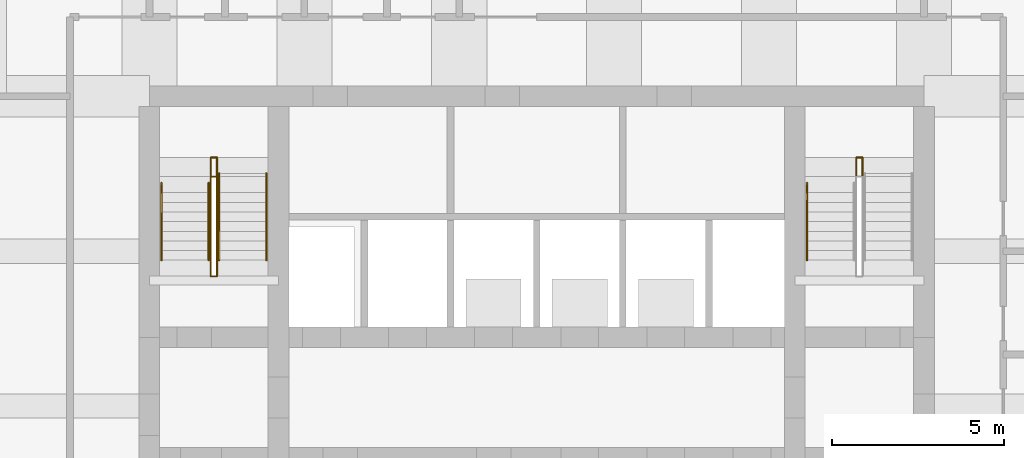
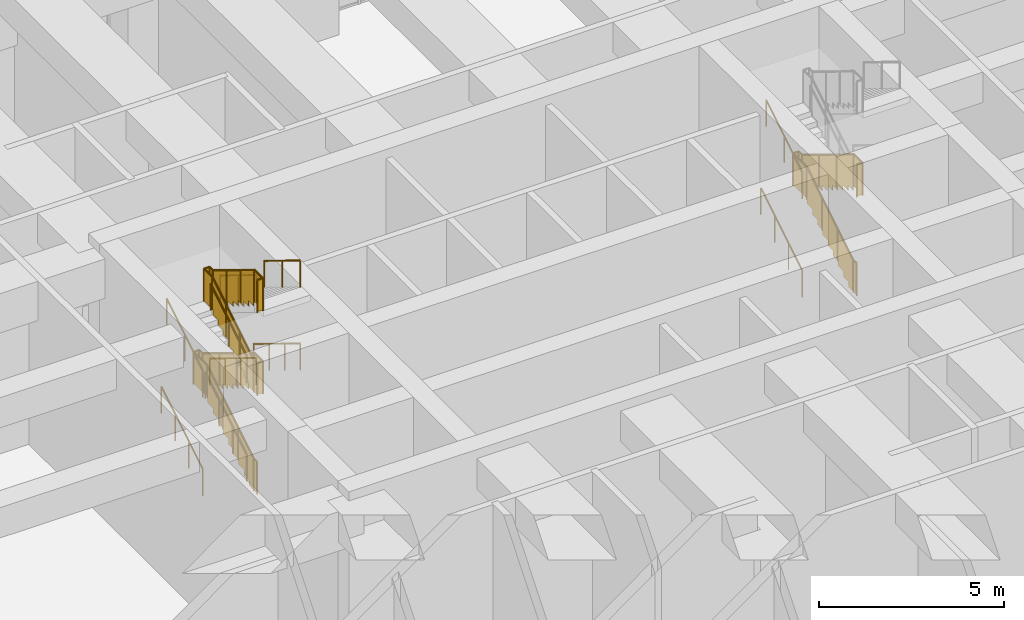
# One storey, part 15 of 17: 16 railings.
"""IFC4 building model written with IfcOpenShell, lengths in metres."""

import ifcopenshell
import ifcopenshell.guid

model = None  # the IFC model being written
_history = None  # IfcOwnerHistory: only IFC2X3 demands one
_inside = {}  # id of a spatial element -> (the spatial element, [elements in it])
_under = {}  # id of a project, library or spatial element -> (it, [spatial elements below it])
_declared = {}  # id of a project -> (the project, [libraries it declares])
_typed = {}  # id of a type object -> (the type object, [elements of that type])
_made_of = {}  # id of a material, layer set ... -> (it, [elements and type objects made of it])


def new_model(schema):
    """Start an empty IFC model of exactly this schema.

    Asked for "IFC4X3", IfcOpenShell would pick the latest addendum, in which some entities
    have other attributes; the version numbers below select the first issue.
    IFC2X3 requires an IfcOwnerHistory on every rooted entity: one is made here for all.
    """
    global model, _history
    if schema == "IFC4X3":
        model = ifcopenshell.file(schema_version=(4, 3, 0, 0))
    else:
        model = ifcopenshell.file(schema=schema)
    _inside.clear()
    _under.clear()
    _declared.clear()
    _typed.clear()
    _made_of.clear()
    _history = None
    if model.schema == "IFC2X3":
        org = make("IfcOrganization", Name="unknown")
        user = make(
            "IfcPersonAndOrganization",
            ThePerson=make("IfcPerson", FamilyName="unknown"),
            TheOrganization=org,
        )
        app = make(
            "IfcApplication",
            ApplicationDeveloper=org,
            Version="unknown",
            ApplicationFullName="unknown",
            ApplicationIdentifier="unknown",
        )
        _history = make(
            "IfcOwnerHistory",
            OwningUser=user,
            OwningApplication=app,
            ChangeAction="ADDED",
            CreationDate=0,
        )
    return model


def make(cls, **values):
    """One entity of the class cls with the attributes given. An attribute that is None is left unset."""
    return model.create_entity(
        cls, **{name: value for name, value in values.items() if value is not None}
    )


def rooted(cls, **values):
    """An entity with a GlobalId (a new one), such as an element, a storey or a relation."""
    return make(cls, GlobalId=ifcopenshell.guid.new(), OwnerHistory=_history, **values)


def si_unit(unit_type, name, prefix=None):
    """IfcSIUnit, for example si_unit("LENGTHUNIT", "METRE", prefix="MILLI")."""
    return make("IfcSIUnit", UnitType=unit_type, Prefix=prefix, Name=name)


def assignment(units):
    """IfcUnitAssignment: the units of a project."""
    return None if units is None else make("IfcUnitAssignment", Units=units)


def point(xyz):
    """IfcCartesianPoint."""
    return None if xyz is None else make("IfcCartesianPoint", Coordinates=xyz)


def direction(xyz):
    """IfcDirection."""
    return None if xyz is None else make("IfcDirection", DirectionRatios=xyz)


def frame(location, z_axis=None, x_axis=None):
    """IfcAxis2Placement3D, a coordinate frame: its origin and axes. An axis left out is left unset."""
    return make(
        "IfcAxis2Placement3D",
        Location=point(location),
        Axis=direction(z_axis),
        RefDirection=direction(x_axis),
    )


def frame_2d(location, x_axis=None):
    """IfcAxis2Placement2D, a coordinate frame in the plane: its origin and x axis."""
    return make(
        "IfcAxis2Placement2D", Location=point(location), RefDirection=direction(x_axis)
    )


def origin():
    """The frame at (0, 0, 0) with its axes left unset."""
    return frame((0.0, 0.0, 0.0))


def origin_2d():
    """The frame at (0, 0) in the plane with its x axis left unset."""
    return frame_2d((0.0, 0.0))


def place(relative_to, where):
    """IfcLocalPlacement: puts the frame where relative to a parent placement (None: the world)."""
    return make(
        "IfcLocalPlacement", PlacementRelTo=relative_to, RelativePlacement=where
    )


def context(
    kind, dimensions, precision=None, world=None, true_north=None, identifier=None
):
    """IfcGeometricRepresentationContext, for example the 3D "Model" context."""
    return make(
        "IfcGeometricRepresentationContext",
        ContextIdentifier=identifier,
        ContextType=kind,
        CoordinateSpaceDimension=dimensions,
        Precision=precision,
        WorldCoordinateSystem=world,
        TrueNorth=true_north,
    )


def subcontext(parent, identifier, kind, view, scale=None):
    """IfcGeometricRepresentationSubContext, for example "Body" below "Model"."""
    return make(
        "IfcGeometricRepresentationSubContext",
        ContextIdentifier=identifier,
        ContextType=kind,
        ParentContext=parent,
        TargetScale=scale,
        TargetView=view,
    )


def project(units=None, contexts=None):
    """IfcProject with its units and contexts."""
    return rooted(
        "IfcProject",
        Name="project",
        RepresentationContexts=contexts,
        UnitsInContext=assignment(units),
    )


def spatial(cls, under=None, at=None, **own):
    """A site, building, storey or space (cls), placed at a placement, below another one or the project."""
    s = rooted(cls, ObjectPlacement=at, **own)
    if under is not None:
        _under.setdefault(under.id(), (under, []))[1].append(s)
    return s


def polyline(points):
    """IfcPolyline through the points."""
    return make("IfcPolyline", Points=[point(p) for p in points])


def profile(cls, at=None, kind="AREA", **sizes):
    """A parametric profile (cls). Its sizes go by their IFC names, for example OverallWidth=200.0."""
    return make(cls, ProfileType=kind, Position=at, **sizes)


def circle(**sizes):
    """IfcCircleProfileDef."""
    return profile("IfcCircleProfileDef", **sizes)


def outline(outer, holes=None, kind="AREA"):
    """IfcArbitraryClosedProfileDef: a profile drawn as a closed curve; with holes, ...WithVoids."""
    if holes is None:
        return make("IfcArbitraryClosedProfileDef", ProfileType=kind, OuterCurve=outer)
    return make(
        "IfcArbitraryProfileDefWithVoids",
        ProfileType=kind,
        OuterCurve=outer,
        InnerCurves=holes,
    )


def extrude(swept, where, along, depth):
    """IfcExtrudedAreaSolid: the profile swept, set in the frame where, extruded along a direction by depth."""
    return make(
        "IfcExtrudedAreaSolid",
        SweptArea=swept,
        Position=where,
        ExtrudedDirection=direction(along),
        Depth=depth,
    )


def shape(context_of_items, identifier, shape_type, items):
    """IfcShapeRepresentation: the items that make up one representation, for example the "Body"."""
    return make(
        "IfcShapeRepresentation",
        ContextOfItems=context_of_items,
        RepresentationIdentifier=identifier,
        RepresentationType=shape_type,
        Items=items,
    )


def material(Name=None, Category=None):
    """IfcMaterial."""
    return make("IfcMaterial", Name=Name, Category=Category)


def made_of(thing, what):
    """Note that an element or type object is made of a material, layer set ...; save() writes the relation."""
    if what is not None:
        _made_of.setdefault(what.id(), (what, []))[1].append(thing)
    return thing


def type_object(cls, material=None, **own):
    """A type object (cls), such as IfcWallType, which elements share."""
    return made_of(rooted(cls, **own), material)


def element(
    cls,
    number,
    at=None,
    inside=None,
    cuts=None,
    type_object=None,
    material=None,
    context=None,
    identifier="Body",
    shape_type=None,
    held_by="IfcProductDefinitionShape",
    body=None,
    shapes=None,
    **own,
):
    """One element of the class cls, such as IfcWall. Its Tag is "e" and its number.

    at: its placement. inside: the storey or other place that contains it. cuts: it is an
    opening in that element (IfcRelVoidsElement). A single representation is given by context,
    identifier, shape_type and body (its items); several are given by shapes. held_by: the class
    of the entity that holds the representations. save() writes the other relations.
    """
    e = rooted(cls, Tag="e%d" % number, ObjectPlacement=at, **own)
    if body is not None:
        shapes = [shape(context, identifier, shape_type, body)]
    if shapes is not None:
        e.Representation = make(held_by, Representations=shapes)
    if inside is not None:
        _inside.setdefault(inside.id(), (inside, []))[1].append(e)
    if cuts is not None:
        rooted(
            "IfcRelVoidsElement", RelatingBuildingElement=cuts, RelatedOpeningElement=e
        )
    if type_object is not None:
        _typed.setdefault(type_object.id(), (type_object, []))[1].append(e)
    return made_of(e, material)


def aggregate(whole, parts):
    """IfcRelAggregates: a whole, such as a stair, and the parts it consists of."""
    return rooted("IfcRelAggregates", RelatingObject=whole, RelatedObjects=parts)


def save(model, path):
    """Write the relations noted so far, then the file.

    IfcRelAggregates (storeys below a building ...), IfcRelContainedInSpatialStructure (elements
    in a storey), IfcRelDefinesByType, IfcRelAssociatesMaterial and IfcRelDeclares: one each for
    every whole, place, type object, material and project.
    """
    for whole, parts in _under.values():
        aggregate(whole, parts)
    for where, things in _inside.values():
        rooted(
            "IfcRelContainedInSpatialStructure",
            RelatedElements=things,
            RelatingStructure=where,
        )
    for kind, things in _typed.values():
        rooted("IfcRelDefinesByType", RelatedObjects=things, RelatingType=kind)
    for what, things in _made_of.values():
        rooted("IfcRelAssociatesMaterial", RelatedObjects=things, RelatingMaterial=what)
    for by, libraries in _declared.values():
        rooted("IfcRelDeclares", RelatingContext=by, RelatedDefinitions=libraries)
    model.write(path)


model = new_model("IFC4")

# Units and contexts
model_context = context("Model", 3, precision=1e-05, world=origin(), true_north=direction((0.0, 1.0)))
body_context = subcontext(model_context, "Body", "Model", "MODEL_VIEW")
ifc_project = project(units=[si_unit("LENGTHUNIT", "METRE"), si_unit("AREAUNIT", "SQUARE_METRE"), si_unit("VOLUMEUNIT", "CUBIC_METRE"), si_unit("PLANEANGLEUNIT", "RADIAN"), si_unit("MASSUNIT", "GRAM", prefix="KILO")], contexts=[model_context])

# Site, building, storey
site_placement = place(None, origin())
site = spatial("IfcSite", under=ifc_project, at=site_placement, CompositionType="ELEMENT")
building_placement = place(site_placement, origin())
building = spatial("IfcBuilding", under=site, at=building_placement, Name="Kilele Tower Hotel", CompositionType="ELEMENT")
storey_placement = place(building_placement, frame((0.0, 0.0, 145.89990234375)))
storey = spatial("IfcBuildingStorey", under=building, at=storey_placement, Name="L38", CompositionType="ELEMENT", Elevation=145.89990234375)

# Railings
ifc_material_1 = material(Name="Steel handrail", Category="steel")
railing_type_1 = type_object("IfcRailingType", Name="Handrail 900", PredefinedType="HANDRAIL", material=ifc_material_1)
for number, where, name in (
    (1, (13.85009765625, 22.239990234375, 0.171630859375), "Handrail ST1 flight 1"),
    (2, (15.22509765625, 22.239990234375, 0.171630859375), "Handrail ST1 flight 1"),
):
    element("IfcRailing", number, at=place(storey_placement, frame(where)), inside=storey, type_object=railing_type_1, Name=name, PredefinedType="HANDRAIL", context=body_context, shape_type="SweptSolid", body=[
        extrude(circle(Radius=0.02490234375, at=origin_2d()), frame((0.0, 0.0, 0.875), z_axis=(0.0, 0.852865665234, 0.522130402356), x_axis=(-1.0, 0.0, 0.0)), (0.0, 0.0, 1.0), 2.62646484375),
        extrude(circle(Radius=0.02001953125, at=origin_2d()), origin(), (0.0, 0.0, 1.0), 0.849853515625),
        extrude(circle(Radius=0.02001953125, at=origin_2d()), frame((0.0, 0.74658203125, 0.45703125)), (0.0, 0.0, 1.0), 0.849853515625),
        extrude(circle(Radius=0.02001953125, at=origin_2d()), frame((0.0, 1.493408203125, 0.914306640625)), (0.0, 0.0, 1.0), 0.849853515625),
        extrude(circle(Radius=0.02001953125, at=origin_2d()), frame((0.0, 2.239990234375, 1.371337890625)), (0.0, 0.0, 1.0), 0.849853515625),
    ])
for number, where, name in (
    (3, (15.52490234375, 24.760009765625, 1.71435546875), "Handrail ST1 flight 2"),
    (4, (16.89990234375, 24.760009765625, 1.71435546875), "Handrail ST1 flight 2"),
):
    element("IfcRailing", number, at=place(storey_placement, frame(where)), inside=storey, type_object=railing_type_1, Name=name, PredefinedType="HANDRAIL", context=body_context, shape_type="SweptSolid", body=[
        extrude(circle(Radius=0.02490234375, at=origin_2d()), frame((0.0, 0.0, 0.875), z_axis=(0.0, -0.852836285881, 0.522178388565), x_axis=(1.0, 0.0, 0.0)), (0.0, 0.0, 1.0), 2.954833984375),
        extrude(circle(Radius=0.02001953125, at=origin_2d()), origin(), (0.0, 0.0, 1.0), 0.849853515625),
        extrude(circle(Radius=0.02001953125, at=origin_2d()), frame((0.0, -0.840087890625, 0.514404296875)), (0.0, 0.0, 1.0), 0.849853515625),
        extrude(circle(Radius=0.02001953125, at=origin_2d()), frame((0.0, -1.679931640625, 1.028564453125)), (0.0, 0.0, 1.0), 0.849853515625),
        extrude(circle(Radius=0.02001953125, at=origin_2d()), frame((0.0, -2.52001953125, 1.54296875)), (0.0, 0.0, 1.0), 0.849853515625),
    ])
for number, where, name in (
    (5, (13.85009765625, 22.239990234375, 3.4287109375), "Handrail ST1 flight 3"),
    (6, (15.22509765625, 22.239990234375, 3.4287109375), "Handrail ST1 flight 3"),
):
    element("IfcRailing", number, at=place(storey_placement, frame(where)), inside=storey, type_object=railing_type_1, Name=name, PredefinedType="HANDRAIL", context=body_context, shape_type="SweptSolid", body=[
        extrude(circle(Radius=0.02490234375, at=origin_2d()), frame((0.0, 0.0, 0.875), z_axis=(0.0, 0.852856131449, 0.522145974847), x_axis=(-1.0, 0.0, 0.0)), (0.0, 0.0, 1.0), 2.298095703125),
        extrude(circle(Radius=0.02001953125, at=origin_2d()), origin(), (0.0, 0.0, 1.0), 0.849853515625),
        extrude(circle(Radius=0.02001953125, at=origin_2d()), frame((0.0, 0.97998046875, 0.60009765625)), (0.0, 0.0, 1.0), 0.849853515625),
        extrude(circle(Radius=0.02001953125, at=origin_2d()), frame((0.0, 1.9599609375, 1.199951171875)), (0.0, 0.0, 1.0), 0.849853515625),
    ])
for number, where, name in (
    (7, (15.52490234375, 24.199951171875, 4.800048828125), "Handrail ST1 flight 4"),
    (8, (16.89990234375, 24.199951171875, 4.800048828125), "Handrail ST1 flight 4"),
):
    element("IfcRailing", number, at=place(storey_placement, frame(where)), inside=storey, type_object=railing_type_1, Name=name, PredefinedType="HANDRAIL", context=body_context, shape_type="SweptSolid", body=[
        extrude(circle(Radius=0.02490234375, at=origin_2d()), frame((0.0, 0.0, 0.875), z_axis=(0.0, -0.852856131449, 0.522145974847), x_axis=(1.0, 0.0, 0.0)), (0.0, 0.0, 1.0), 2.298095703125),
        extrude(circle(Radius=0.02001953125, at=origin_2d()), origin(), (0.0, 0.0, 1.0), 0.849853515625),
        extrude(circle(Radius=0.02001953125, at=origin_2d()), frame((0.0, -0.97998046875, 0.60009765625)), (0.0, 0.0, 1.0), 0.849853515625),
        extrude(circle(Radius=0.02001953125, at=origin_2d()), frame((0.0, -1.9599609375, 1.199951171875)), (0.0, 0.0, 1.0), 0.849853515625),
    ])
railing_1_placement = place(storey_placement, frame((32.60009765625, 22.239990234375, 0.171630859375)))
element("IfcRailing", 9, at=railing_1_placement, inside=storey, type_object=railing_type_1, Name="Handrail ST2 flight 1", PredefinedType="HANDRAIL", context=body_context, shape_type="SweptSolid", body=[
    extrude(circle(Radius=0.02490234375, at=origin_2d()), frame((0.0, 0.0, 0.875), z_axis=(0.0, 0.852865665234, 0.522130402356), x_axis=(-1.0, 0.0, 0.0)), (0.0, 0.0, 1.0), 2.62646484375),
    extrude(circle(Radius=0.02001953125, at=origin_2d()), origin(), (0.0, 0.0, 1.0), 0.849853515625),
    extrude(circle(Radius=0.02001953125, at=origin_2d()), frame((0.0, 0.74658203125, 0.45703125)), (0.0, 0.0, 1.0), 0.849853515625),
    extrude(circle(Radius=0.02001953125, at=origin_2d()), frame((0.0, 1.493408203125, 0.914306640625)), (0.0, 0.0, 1.0), 0.849853515625),
    extrude(circle(Radius=0.02001953125, at=origin_2d()), frame((0.0, 2.239990234375, 1.371337890625)), (0.0, 0.0, 1.0), 0.849853515625),
])
railing_2_placement = place(storey_placement, frame((32.60009765625, 22.239990234375, 3.4287109375)))
element("IfcRailing", 10, at=railing_2_placement, inside=storey, type_object=railing_type_1, Name="Handrail ST2 flight 3", PredefinedType="HANDRAIL", context=body_context, shape_type="SweptSolid", body=[
    extrude(circle(Radius=0.02490234375, at=origin_2d()), frame((0.0, 0.0, 0.875), z_axis=(0.0, 0.852856131449, 0.522145974847), x_axis=(-1.0, 0.0, 0.0)), (0.0, 0.0, 1.0), 2.298095703125),
    extrude(circle(Radius=0.02001953125, at=origin_2d()), origin(), (0.0, 0.0, 1.0), 0.849853515625),
    extrude(circle(Radius=0.02001953125, at=origin_2d()), frame((0.0, 0.97998046875, 0.60009765625)), (0.0, 0.0, 1.0), 0.849853515625),
    extrude(circle(Radius=0.02001953125, at=origin_2d()), frame((0.0, 1.9599609375, 1.199951171875)), (0.0, 0.0, 1.0), 0.849853515625),
])
ifc_material_2 = material(Name="Steel guard", Category="steel")
railing_type_2 = type_object("IfcRailingType", Name="Stair guard 1100", PredefinedType="GUARDRAIL", material=ifc_material_2)
railing_3_placement = place(storey_placement, frame((15.284912109375, 21.77490234375, 0.0)))
element("IfcRailing", 11, at=railing_3_placement, inside=storey, type_object=railing_type_2, Name="Stair well guard ST1 flight 1", PredefinedType="GUARDRAIL", context=body_context, shape_type="SweptSolid", body=[
    extrude(circle(Radius=0.02490234375, at=origin_2d()), frame((0.0, 0.0, 1.0751953125), z_axis=(0.0, 1.0, 0.0), x_axis=(-1.0, 0.0, 0.0)), (0.0, 0.0, 1.0), 0.18505859375),
    extrude(circle(Radius=0.02490234375, at=origin_2d()), frame((0.0, 0.18505859375, 1.0751953125), z_axis=(0.0, 0.852836285881, 0.522178388565), x_axis=(-1.0, 0.0, 0.0)), (0.0, 0.0, 1.0), 2.954833984375),
    extrude(circle(Radius=0.02490234375, at=origin_2d()), frame((0.0, 2.705078125, 2.6181640625), z_axis=(0.0, 1.0, 0.0), x_axis=(-1.0, 0.0, 0.0)), (0.0, 0.0, 1.0), 0.7451171875),
    extrude(circle(Radius=0.02490234375, at=origin_2d()), frame((0.0, 3.4501953125, 2.6181640625), z_axis=(1.0, 0.0, 0.0), x_axis=(0.0, 1.0, 0.0)), (0.0, 0.0, 1.0), 0.18017578125),
    extrude(circle(Radius=0.02490234375, at=origin_2d()), origin(), (0.0, 0.0, 1.0), 1.050048828125),
    extrude(circle(Radius=0.02490234375, at=origin_2d()), frame((0.0, 0.18505859375, 0.0)), (0.0, 0.0, 1.0), 1.050048828125),
    extrude(circle(Radius=0.02490234375, at=origin_2d()), frame((0.0, 1.025146484375, 0.514404296875)), (0.0, 0.0, 1.0), 1.050048828125),
    extrude(circle(Radius=0.02490234375, at=origin_2d()), frame((0.0, 1.864990234375, 1.028564453125)), (0.0, 0.0, 1.0), 1.050048828125),
    extrude(circle(Radius=0.02490234375, at=origin_2d()), frame((0.0, 2.705078125, 1.54296875)), (0.0, 0.0, 1.0), 1.050048828125),
    extrude(circle(Radius=0.02490234375, at=origin_2d()), frame((0.0, 3.4501953125, 1.54296875)), (0.0, 0.0, 1.0), 1.050048828125),
    extrude(circle(Radius=0.02490234375, at=origin_2d()), frame((0.18017578125, 3.4501953125, 1.54296875)), (0.0, 0.0, 1.0), 1.050048828125),
    extrude(outline(polyline([(0.0, 0.030029296875), (0.172607421875, 0.030029296875), (0.172607421875, 1.050048828125), (0.0, 1.050048828125), (0.0, 0.030029296875)])), frame((-0.005859375, 0.0, 0.0), z_axis=(1.0, 0.0, 0.0), x_axis=(0.0, 1.0, 0.0)), (0.0, 0.0, 1.0), 0.011962890625),
    extrude(outline(polyline([(0.012451171875, 0.030029296875), (0.25, 0.030029296875), (0.25, 0.201416015625), (0.530029296875, 0.201416015625), (0.530029296875, 0.372802734375), (0.81005859375, 0.372802734375), (0.81005859375, 0.54443359375), (1.090087890625, 0.54443359375), (1.090087890625, 0.7158203125), (1.369873046875, 0.7158203125), (1.369873046875, 0.88720703125), (1.64990234375, 0.88720703125), (1.64990234375, 1.05859375), (1.929931640625, 1.05859375), (1.929931640625, 1.230224609375), (2.2099609375, 1.230224609375), (2.2099609375, 1.401611328125), (2.489990234375, 1.401611328125), (2.489990234375, 1.572998046875), (2.507568359375, 1.572998046875), (2.507568359375, 2.5810546875), (0.012451171875, 1.053466796875), (0.012451171875, 0.030029296875)])), frame((-0.005859375, 0.18505859375, 0.0), z_axis=(1.0, 0.0, 0.0), x_axis=(0.0, 1.0, 0.0)), (0.0, 0.0, 1.0), 0.011962890625),
    extrude(outline(polyline([(0.012451171875, 0.030029296875), (0.732666015625, 0.030029296875), (0.732666015625, 1.050048828125), (0.012451171875, 1.050048828125), (0.012451171875, 0.030029296875)])), frame((-0.005859375, 2.705078125, 1.54296875), z_axis=(1.0, 0.0, 0.0), x_axis=(0.0, 1.0, 0.0)), (0.0, 0.0, 1.0), 0.011962890625),
    extrude(outline(polyline([(0.012451171875, 0.030029296875), (0.18017578125, 0.030029296875), (0.18017578125, 1.050048828125), (0.012451171875, 1.050048828125), (0.012451171875, 0.030029296875)])), frame((0.0, 3.4560546875, 1.54296875), z_axis=(0.0, -1.0, 0.0), x_axis=(1.0, 0.0, 0.0)), (0.0, 0.0, 1.0), 0.011962890625),
])
railing_4_placement = place(storey_placement, frame((15.465087890625, 25.22509765625, 1.54296875)))
element("IfcRailing", 12, at=railing_4_placement, inside=storey, type_object=railing_type_2, Name="Stair well guard ST1 flight 2", PredefinedType="GUARDRAIL", context=body_context, shape_type="SweptSolid", body=[
    extrude(circle(Radius=0.02490234375, at=origin_2d()), frame((0.0, 0.0, 1.0751953125), z_axis=(0.0, -1.0, 0.0), x_axis=(1.0, 0.0, 0.0)), (0.0, 0.0, 1.0), 0.18505859375),
    extrude(circle(Radius=0.02490234375, at=origin_2d()), frame((0.0, -0.18505859375, 1.0751953125), z_axis=(0.0, -0.852879011914, 0.522108600807), x_axis=(1.0, 0.0, 0.0)), (0.0, 0.0, 1.0), 3.282958984375),
    extrude(circle(Radius=0.02490234375, at=origin_2d()), frame((0.0, -2.985107421875, 2.7890625), z_axis=(0.0, -1.0, 0.0), x_axis=(1.0, 0.0, 0.0)), (0.0, 0.0, 1.0), 0.465087890625),
    extrude(circle(Radius=0.02490234375, at=origin_2d()), frame((0.0, -3.4501953125, 2.7890625), z_axis=(-1.0, 0.0, 0.0), x_axis=(0.0, -1.0, 0.0)), (0.0, 0.0, 1.0), 0.18017578125),
    extrude(circle(Radius=0.02490234375, at=origin_2d()), origin(), (0.0, 0.0, 1.0), 1.050048828125),
    extrude(circle(Radius=0.02490234375, at=origin_2d()), frame((0.0, -0.18505859375, 0.0)), (0.0, 0.0, 1.0), 1.050048828125),
    extrude(circle(Radius=0.02490234375, at=origin_2d()), frame((0.0, -1.118408203125, 0.5712890625)), (0.0, 0.0, 1.0), 1.050048828125),
    extrude(circle(Radius=0.02490234375, at=origin_2d()), frame((0.0, -2.0517578125, 1.142822265625)), (0.0, 0.0, 1.0), 1.050048828125),
    extrude(circle(Radius=0.02490234375, at=origin_2d()), frame((0.0, -2.985107421875, 1.714111328125)), (0.0, 0.0, 1.0), 1.050048828125),
    extrude(circle(Radius=0.02490234375, at=origin_2d()), frame((0.0, -3.4501953125, 1.714111328125)), (0.0, 0.0, 1.0), 1.050048828125),
    extrude(circle(Radius=0.02490234375, at=origin_2d()), frame((-0.18017578125, -3.4501953125, 1.714111328125)), (0.0, 0.0, 1.0), 1.050048828125),
    extrude(outline(polyline([(0.0, 0.030029296875), (0.172607421875, 0.030029296875), (0.172607421875, 1.050048828125), (0.0, 1.050048828125), (0.0, 0.030029296875)])), frame((0.005859375, 0.0, 0.0), z_axis=(-1.0, 0.0, 0.0), x_axis=(0.0, -1.0, 0.0)), (0.0, 0.0, 1.0), 0.011962890625),
    extrude(outline(polyline([(0.012451171875, 0.030029296875), (0.25, 0.030029296875), (0.25, 0.201416015625), (0.530029296875, 0.201416015625), (0.530029296875, 0.372802734375), (0.81005859375, 0.372802734375), (0.81005859375, 0.544189453125), (1.090087890625, 0.544189453125), (1.090087890625, 0.715576171875), (1.3701171875, 0.715576171875), (1.3701171875, 0.88720703125), (1.64990234375, 0.88720703125), (1.64990234375, 1.05859375), (1.929931640625, 1.05859375), (1.929931640625, 1.22998046875), (2.2099609375, 1.22998046875), (2.2099609375, 1.4013671875), (2.489990234375, 1.4013671875), (2.489990234375, 1.57275390625), (2.77001953125, 1.57275390625), (2.77001953125, 1.744140625), (2.78759765625, 1.744140625), (2.78759765625, 2.752197265625), (0.012451171875, 1.053466796875), (0.012451171875, 0.030029296875)])), frame((0.005859375, -0.18505859375, 0.0), z_axis=(-1.0, 0.0, 0.0), x_axis=(0.0, -1.0, 0.0)), (0.0, 0.0, 1.0), 0.011962890625),
    extrude(outline(polyline([(0.012451171875, 0.030029296875), (0.45263671875, 0.030029296875), (0.45263671875, 1.050048828125), (0.012451171875, 1.050048828125), (0.012451171875, 0.030029296875)])), frame((0.005859375, -2.985107421875, 1.714111328125), z_axis=(-1.0, 0.0, 0.0), x_axis=(0.0, -1.0, 0.0)), (0.0, 0.0, 1.0), 0.011962890625),
    extrude(outline(polyline([(0.012451171875, 0.030029296875), (0.18017578125, 0.030029296875), (0.18017578125, 1.050048828125), (0.012451171875, 1.050048828125), (0.012451171875, 0.030029296875)])), frame((0.0, -3.4560546875, 1.714111328125), z_axis=(0.0, 1.0, 0.0), x_axis=(-1.0, 0.0, 0.0)), (0.0, 0.0, 1.0), 0.011962890625),
])
railing_5_placement = place(storey_placement, frame((15.284912109375, 21.77490234375, 3.257080078125)))
element("IfcRailing", 13, at=railing_5_placement, inside=storey, type_object=railing_type_2, Name="Stair well guard ST1 flight 3", PredefinedType="GUARDRAIL", context=body_context, shape_type="SweptSolid", body=[
    extrude(circle(Radius=0.02490234375, at=origin_2d()), frame((0.0, 0.0, 1.0751953125), z_axis=(0.0, 1.0, 0.0), x_axis=(-1.0, 0.0, 0.0)), (0.0, 0.0, 1.0), 0.18505859375),
    extrude(circle(Radius=0.02490234375, at=origin_2d()), frame((0.0, 0.18505859375, 1.0751953125), z_axis=(0.0, 0.852824270871, 0.522198011308), x_axis=(-1.0, 0.0, 0.0)), (0.0, 0.0, 1.0), 2.62646484375),
    extrude(circle(Radius=0.02490234375, at=origin_2d()), frame((0.0, 2.425048828125, 2.44677734375), z_axis=(0.0, 1.0, 0.0), x_axis=(-1.0, 0.0, 0.0)), (0.0, 0.0, 1.0), 0.465087890625),
    extrude(circle(Radius=0.02490234375, at=origin_2d()), frame((0.0, 2.89013671875, 2.44677734375), z_axis=(1.0, 0.0, 0.0), x_axis=(0.0, 1.0, 0.0)), (0.0, 0.0, 1.0), 0.18017578125),
    extrude(circle(Radius=0.02490234375, at=origin_2d()), origin(), (0.0, 0.0, 1.0), 1.050048828125),
    extrude(circle(Radius=0.02490234375, at=origin_2d()), frame((0.0, 0.18505859375, 0.0)), (0.0, 0.0, 1.0), 1.050048828125),
    extrude(circle(Radius=0.02490234375, at=origin_2d()), frame((0.0, 0.931640625, 0.457275390625)), (0.0, 0.0, 1.0), 1.050048828125),
    extrude(circle(Radius=0.02490234375, at=origin_2d()), frame((0.0, 1.678466796875, 0.914306640625)), (0.0, 0.0, 1.0), 1.050048828125),
    extrude(circle(Radius=0.02490234375, at=origin_2d()), frame((0.0, 2.425048828125, 1.37158203125)), (0.0, 0.0, 1.0), 1.050048828125),
    extrude(circle(Radius=0.02490234375, at=origin_2d()), frame((0.0, 2.89013671875, 1.37158203125)), (0.0, 0.0, 1.0), 1.050048828125),
    extrude(circle(Radius=0.02490234375, at=origin_2d()), frame((0.18017578125, 2.89013671875, 1.37158203125)), (0.0, 0.0, 1.0), 1.050048828125),
    extrude(outline(polyline([(0.0, 0.030029296875), (0.172607421875, 0.030029296875), (0.172607421875, 1.050048828125), (0.0, 1.050048828125), (0.0, 0.030029296875)])), frame((-0.005859375, 0.0, 0.0), z_axis=(1.0, 0.0, 0.0), x_axis=(0.0, 1.0, 0.0)), (0.0, 0.0, 1.0), 0.011962890625),
    extrude(outline(polyline([(0.012451171875, 0.030029296875), (0.25, 0.030029296875), (0.25, 0.201416015625), (0.530029296875, 0.201416015625), (0.530029296875, 0.373046875), (0.81005859375, 0.373046875), (0.81005859375, 0.54443359375), (1.08984375, 0.54443359375), (1.08984375, 0.7158203125), (1.369873046875, 0.7158203125), (1.369873046875, 0.88720703125), (1.64990234375, 0.88720703125), (1.64990234375, 1.05859375), (1.929931640625, 1.05859375), (1.929931640625, 1.230224609375), (2.2099609375, 1.230224609375), (2.2099609375, 1.401611328125), (2.2275390625, 1.401611328125), (2.2275390625, 2.40966796875), (0.012451171875, 1.053466796875), (0.012451171875, 0.030029296875)])), frame((-0.005859375, 0.18505859375, 0.0), z_axis=(1.0, 0.0, 0.0), x_axis=(0.0, 1.0, 0.0)), (0.0, 0.0, 1.0), 0.011962890625),
    extrude(outline(polyline([(0.012451171875, 0.030029296875), (0.45263671875, 0.030029296875), (0.45263671875, 1.050048828125), (0.012451171875, 1.050048828125), (0.012451171875, 0.030029296875)])), frame((-0.005859375, 2.425048828125, 1.37158203125), z_axis=(1.0, 0.0, 0.0), x_axis=(0.0, 1.0, 0.0)), (0.0, 0.0, 1.0), 0.011962890625),
    extrude(outline(polyline([(0.012451171875, 0.030029296875), (0.18017578125, 0.030029296875), (0.18017578125, 1.050048828125), (0.012451171875, 1.050048828125), (0.012451171875, 0.030029296875)])), frame((0.0, 2.89599609375, 1.37158203125), z_axis=(0.0, -1.0, 0.0), x_axis=(1.0, 0.0, 0.0)), (0.0, 0.0, 1.0), 0.011962890625),
])
railing_6_placement = place(storey_placement, frame((15.465087890625, 24.6650390625, 4.628662109375)))
element("IfcRailing", 14, at=railing_6_placement, inside=storey, type_object=railing_type_2, Name="Stair well guard ST1 flight 4", PredefinedType="GUARDRAIL", context=body_context, shape_type="SweptSolid", body=[
    extrude(circle(Radius=0.02490234375, at=origin_2d()), frame((0.0, 0.0, 1.0751953125), z_axis=(0.0, -1.0, 0.0), x_axis=(1.0, 0.0, 0.0)), (0.0, 0.0, 1.0), 0.18505859375),
    extrude(circle(Radius=0.02490234375, at=origin_2d()), frame((0.0, -0.18505859375, 1.0751953125), z_axis=(0.0, -0.852865665234, 0.522130402356), x_axis=(1.0, 0.0, 0.0)), (0.0, 0.0, 1.0), 2.62646484375),
    extrude(circle(Radius=0.02490234375, at=origin_2d()), frame((0.0, -2.425048828125, 2.4462890625), z_axis=(0.0, -1.0, 0.0), x_axis=(1.0, 0.0, 0.0)), (0.0, 0.0, 1.0), 0.465087890625),
    extrude(circle(Radius=0.02490234375, at=origin_2d()), frame((0.0, -2.89013671875, 2.4462890625), z_axis=(-1.0, 0.0, 0.0), x_axis=(0.0, -1.0, 0.0)), (0.0, 0.0, 1.0), 0.18017578125),
    extrude(circle(Radius=0.02490234375, at=origin_2d()), origin(), (0.0, 0.0, 1.0), 1.050048828125),
    extrude(circle(Radius=0.02490234375, at=origin_2d()), frame((0.0, -0.18505859375, 0.0)), (0.0, 0.0, 1.0), 1.050048828125),
    extrude(circle(Radius=0.02490234375, at=origin_2d()), frame((0.0, -0.931640625, 0.45703125)), (0.0, 0.0, 1.0), 1.050048828125),
    extrude(circle(Radius=0.02490234375, at=origin_2d()), frame((0.0, -1.678466796875, 0.914306640625)), (0.0, 0.0, 1.0), 1.050048828125),
    extrude(circle(Radius=0.02490234375, at=origin_2d()), frame((0.0, -2.425048828125, 1.371337890625)), (0.0, 0.0, 1.0), 1.050048828125),
    extrude(circle(Radius=0.02490234375, at=origin_2d()), frame((0.0, -2.89013671875, 1.371337890625)), (0.0, 0.0, 1.0), 1.050048828125),
    extrude(circle(Radius=0.02490234375, at=origin_2d()), frame((-0.18017578125, -2.89013671875, 1.371337890625)), (0.0, 0.0, 1.0), 1.050048828125),
    extrude(outline(polyline([(0.0, 0.030029296875), (0.172607421875, 0.030029296875), (0.172607421875, 1.050048828125), (0.0, 1.050048828125), (0.0, 0.030029296875)])), frame((0.005859375, 0.0, 0.0), z_axis=(-1.0, 0.0, 0.0), x_axis=(0.0, -1.0, 0.0)), (0.0, 0.0, 1.0), 0.011962890625),
    extrude(outline(polyline([(0.012451171875, 0.030029296875), (0.25, 0.030029296875), (0.25, 0.201416015625), (0.530029296875, 0.201416015625), (0.530029296875, 0.372802734375), (0.81005859375, 0.372802734375), (0.81005859375, 0.544189453125), (1.08984375, 0.544189453125), (1.08984375, 0.7158203125), (1.369873046875, 0.7158203125), (1.369873046875, 0.88720703125), (1.64990234375, 0.88720703125), (1.64990234375, 1.05859375), (1.929931640625, 1.05859375), (1.929931640625, 1.22998046875), (2.2099609375, 1.22998046875), (2.2099609375, 1.4013671875), (2.2275390625, 1.4013671875), (2.2275390625, 2.409423828125), (0.012451171875, 1.053466796875), (0.012451171875, 0.030029296875)])), frame((0.005859375, -0.18505859375, 0.0), z_axis=(-1.0, 0.0, 0.0), x_axis=(0.0, -1.0, 0.0)), (0.0, 0.0, 1.0), 0.011962890625),
    extrude(outline(polyline([(0.012451171875, 0.030029296875), (0.45263671875, 0.030029296875), (0.45263671875, 1.050048828125), (0.012451171875, 1.050048828125), (0.012451171875, 0.030029296875)])), frame((0.005859375, -2.425048828125, 1.371337890625), z_axis=(-1.0, 0.0, 0.0), x_axis=(0.0, -1.0, 0.0)), (0.0, 0.0, 1.0), 0.011962890625),
    extrude(outline(polyline([(0.012451171875, 0.030029296875), (0.18017578125, 0.030029296875), (0.18017578125, 1.050048828125), (0.012451171875, 1.050048828125), (0.012451171875, 0.030029296875)])), frame((0.0, -2.89599609375, 1.371337890625), z_axis=(0.0, 1.0, 0.0), x_axis=(-1.0, 0.0, 0.0)), (0.0, 0.0, 1.0), 0.011962890625),
])
railing_7_placement = place(storey_placement, frame((34.034912109375, 21.77490234375, 0.0)))
element("IfcRailing", 15, at=railing_7_placement, inside=storey, type_object=railing_type_2, Name="Stair well guard ST2 flight 1", PredefinedType="GUARDRAIL", context=body_context, shape_type="SweptSolid", body=[
    extrude(circle(Radius=0.02490234375, at=origin_2d()), frame((0.0, 0.0, 1.0751953125), z_axis=(0.0, 1.0, 0.0), x_axis=(-1.0, 0.0, 0.0)), (0.0, 0.0, 1.0), 0.18505859375),
    extrude(circle(Radius=0.02490234375, at=origin_2d()), frame((0.0, 0.18505859375, 1.0751953125), z_axis=(0.0, 0.852836285881, 0.522178388565), x_axis=(-1.0, 0.0, 0.0)), (0.0, 0.0, 1.0), 2.954833984375),
    extrude(circle(Radius=0.02490234375, at=origin_2d()), frame((0.0, 2.705078125, 2.6181640625), z_axis=(0.0, 1.0, 0.0), x_axis=(-1.0, 0.0, 0.0)), (0.0, 0.0, 1.0), 0.7451171875),
    extrude(circle(Radius=0.02490234375, at=origin_2d()), frame((0.0, 3.4501953125, 2.6181640625), z_axis=(1.0, 0.0, 0.0), x_axis=(0.0, 1.0, 0.0)), (0.0, 0.0, 1.0), 0.18017578125),
    extrude(circle(Radius=0.02490234375, at=origin_2d()), origin(), (0.0, 0.0, 1.0), 1.050048828125),
    extrude(circle(Radius=0.02490234375, at=origin_2d()), frame((0.0, 0.18505859375, 0.0)), (0.0, 0.0, 1.0), 1.050048828125),
    extrude(circle(Radius=0.02490234375, at=origin_2d()), frame((0.0, 1.025146484375, 0.514404296875)), (0.0, 0.0, 1.0), 1.050048828125),
    extrude(circle(Radius=0.02490234375, at=origin_2d()), frame((0.0, 1.864990234375, 1.028564453125)), (0.0, 0.0, 1.0), 1.050048828125),
    extrude(circle(Radius=0.02490234375, at=origin_2d()), frame((0.0, 2.705078125, 1.54296875)), (0.0, 0.0, 1.0), 1.050048828125),
    extrude(circle(Radius=0.02490234375, at=origin_2d()), frame((0.0, 3.4501953125, 1.54296875)), (0.0, 0.0, 1.0), 1.050048828125),
    extrude(circle(Radius=0.02490234375, at=origin_2d()), frame((0.18017578125, 3.4501953125, 1.54296875)), (0.0, 0.0, 1.0), 1.050048828125),
    extrude(outline(polyline([(0.0, 0.030029296875), (0.172607421875, 0.030029296875), (0.172607421875, 1.050048828125), (0.0, 1.050048828125), (0.0, 0.030029296875)])), frame((-0.005859375, 0.0, 0.0), z_axis=(1.0, 0.0, 0.0), x_axis=(0.0, 1.0, 0.0)), (0.0, 0.0, 1.0), 0.011962890625),
    extrude(outline(polyline([(0.012451171875, 0.030029296875), (0.25, 0.030029296875), (0.25, 0.201416015625), (0.530029296875, 0.201416015625), (0.530029296875, 0.372802734375), (0.81005859375, 0.372802734375), (0.81005859375, 0.54443359375), (1.090087890625, 0.54443359375), (1.090087890625, 0.7158203125), (1.369873046875, 0.7158203125), (1.369873046875, 0.88720703125), (1.64990234375, 0.88720703125), (1.64990234375, 1.05859375), (1.929931640625, 1.05859375), (1.929931640625, 1.230224609375), (2.2099609375, 1.230224609375), (2.2099609375, 1.401611328125), (2.489990234375, 1.401611328125), (2.489990234375, 1.572998046875), (2.507568359375, 1.572998046875), (2.507568359375, 2.5810546875), (0.012451171875, 1.053466796875), (0.012451171875, 0.030029296875)])), frame((-0.005859375, 0.18505859375, 0.0), z_axis=(1.0, 0.0, 0.0), x_axis=(0.0, 1.0, 0.0)), (0.0, 0.0, 1.0), 0.011962890625),
    extrude(outline(polyline([(0.012451171875, 0.030029296875), (0.732666015625, 0.030029296875), (0.732666015625, 1.050048828125), (0.012451171875, 1.050048828125), (0.012451171875, 0.030029296875)])), frame((-0.005859375, 2.705078125, 1.54296875), z_axis=(1.0, 0.0, 0.0), x_axis=(0.0, 1.0, 0.0)), (0.0, 0.0, 1.0), 0.011962890625),
    extrude(outline(polyline([(0.012451171875, 0.030029296875), (0.18017578125, 0.030029296875), (0.18017578125, 1.050048828125), (0.012451171875, 1.050048828125), (0.012451171875, 0.030029296875)])), frame((0.0, 3.4560546875, 1.54296875), z_axis=(0.0, -1.0, 0.0), x_axis=(1.0, 0.0, 0.0)), (0.0, 0.0, 1.0), 0.011962890625),
])
railing_8_placement = place(storey_placement, frame((34.215087890625, 25.22509765625, 1.54296875)))
element("IfcRailing", 16, at=railing_8_placement, inside=storey, type_object=railing_type_2, Name="Stair well guard ST2 flight 2", PredefinedType="GUARDRAIL", context=body_context, shape_type="SweptSolid", body=[
    extrude(circle(Radius=0.02490234375, at=origin_2d()), frame((0.0, 0.0, 1.0751953125), z_axis=(0.0, -1.0, 0.0), x_axis=(1.0, 0.0, 0.0)), (0.0, 0.0, 1.0), 0.18505859375),
    extrude(circle(Radius=0.02490234375, at=origin_2d()), frame((0.0, -0.18505859375, 1.0751953125), z_axis=(0.0, -0.852879011914, 0.522108600807), x_axis=(1.0, 0.0, 0.0)), (0.0, 0.0, 1.0), 3.282958984375),
    extrude(circle(Radius=0.02490234375, at=origin_2d()), frame((0.0, -2.985107421875, 2.7890625), z_axis=(0.0, -1.0, 0.0), x_axis=(1.0, 0.0, 0.0)), (0.0, 0.0, 1.0), 0.465087890625),
    extrude(circle(Radius=0.02490234375, at=origin_2d()), frame((0.0, -3.4501953125, 2.7890625), z_axis=(-1.0, 0.0, 0.0), x_axis=(0.0, -1.0, 0.0)), (0.0, 0.0, 1.0), 0.18017578125),
    extrude(circle(Radius=0.02490234375, at=origin_2d()), origin(), (0.0, 0.0, 1.0), 1.050048828125),
    extrude(circle(Radius=0.02490234375, at=origin_2d()), frame((0.0, -0.18505859375, 0.0)), (0.0, 0.0, 1.0), 1.050048828125),
    extrude(circle(Radius=0.02490234375, at=origin_2d()), frame((0.0, -1.118408203125, 0.5712890625)), (0.0, 0.0, 1.0), 1.050048828125),
    extrude(circle(Radius=0.02490234375, at=origin_2d()), frame((0.0, -2.0517578125, 1.142822265625)), (0.0, 0.0, 1.0), 1.050048828125),
    extrude(circle(Radius=0.02490234375, at=origin_2d()), frame((0.0, -2.985107421875, 1.714111328125)), (0.0, 0.0, 1.0), 1.050048828125),
    extrude(circle(Radius=0.02490234375, at=origin_2d()), frame((0.0, -3.4501953125, 1.714111328125)), (0.0, 0.0, 1.0), 1.050048828125),
    extrude(circle(Radius=0.02490234375, at=origin_2d()), frame((-0.18017578125, -3.4501953125, 1.714111328125)), (0.0, 0.0, 1.0), 1.050048828125),
    extrude(outline(polyline([(0.0, 0.030029296875), (0.172607421875, 0.030029296875), (0.172607421875, 1.050048828125), (0.0, 1.050048828125), (0.0, 0.030029296875)])), frame((0.005859375, 0.0, 0.0), z_axis=(-1.0, 0.0, 0.0), x_axis=(0.0, -1.0, 0.0)), (0.0, 0.0, 1.0), 0.011962890625),
    extrude(outline(polyline([(0.012451171875, 0.030029296875), (0.25, 0.030029296875), (0.25, 0.201416015625), (0.530029296875, 0.201416015625), (0.530029296875, 0.372802734375), (0.81005859375, 0.372802734375), (0.81005859375, 0.544189453125), (1.090087890625, 0.544189453125), (1.090087890625, 0.715576171875), (1.3701171875, 0.715576171875), (1.3701171875, 0.88720703125), (1.64990234375, 0.88720703125), (1.64990234375, 1.05859375), (1.929931640625, 1.05859375), (1.929931640625, 1.22998046875), (2.2099609375, 1.22998046875), (2.2099609375, 1.4013671875), (2.489990234375, 1.4013671875), (2.489990234375, 1.57275390625), (2.77001953125, 1.57275390625), (2.77001953125, 1.744140625), (2.78759765625, 1.744140625), (2.78759765625, 2.752197265625), (0.012451171875, 1.053466796875), (0.012451171875, 0.030029296875)])), frame((0.005859375, -0.18505859375, 0.0), z_axis=(-1.0, 0.0, 0.0), x_axis=(0.0, -1.0, 0.0)), (0.0, 0.0, 1.0), 0.011962890625),
    extrude(outline(polyline([(0.012451171875, 0.030029296875), (0.45263671875, 0.030029296875), (0.45263671875, 1.050048828125), (0.012451171875, 1.050048828125), (0.012451171875, 0.030029296875)])), frame((0.005859375, -2.985107421875, 1.714111328125), z_axis=(-1.0, 0.0, 0.0), x_axis=(0.0, -1.0, 0.0)), (0.0, 0.0, 1.0), 0.011962890625),
    extrude(outline(polyline([(0.012451171875, 0.030029296875), (0.18017578125, 0.030029296875), (0.18017578125, 1.050048828125), (0.012451171875, 1.050048828125), (0.012451171875, 0.030029296875)])), frame((0.0, -3.4560546875, 1.714111328125), z_axis=(0.0, 1.0, 0.0), x_axis=(-1.0, 0.0, 0.0)), (0.0, 0.0, 1.0), 0.011962890625),
])

save(model, "model.ifc")
